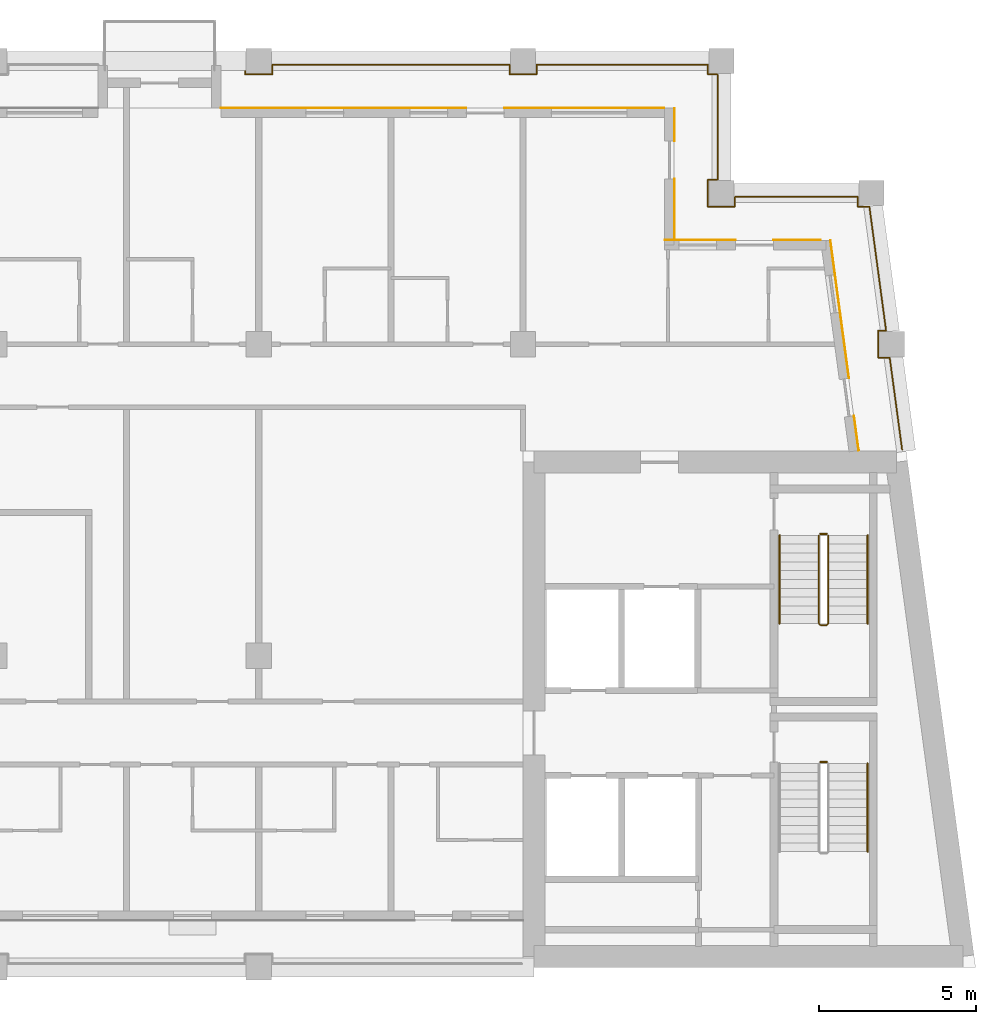
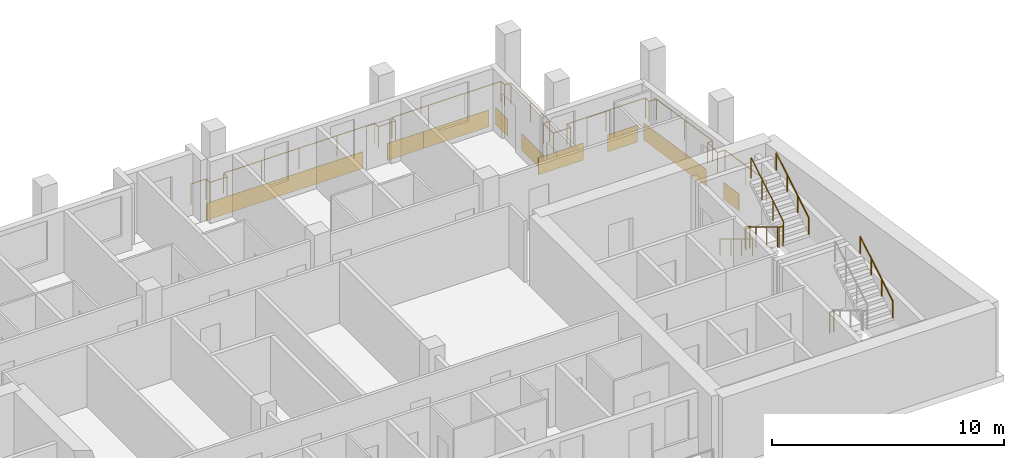
# One storey, part 9 of 10: 9 coverings, 7 railings.
"""IFC4 building model written with IfcOpenShell, lengths in metres."""

from ifc_helpers import new_model, si_unit, direction, frame, origin, origin_2d, place, context, subcontext, project, spatial, rectangle, circle, extrude, material, layer, layer_set, type_object, element, save


model = new_model("IFC4")

# Units and contexts
model_context = context("Model", 3, precision=1e-05, world=origin(), true_north=direction((0.0, 1.0)))
body_context = subcontext(model_context, "Body", "Model", "MODEL_VIEW")
ifc_project = project(units=[si_unit("LENGTHUNIT", "METRE"), si_unit("AREAUNIT", "SQUARE_METRE"), si_unit("VOLUMEUNIT", "CUBIC_METRE"), si_unit("PLANEANGLEUNIT", "RADIAN"), si_unit("MASSUNIT", "GRAM", prefix="KILO")], contexts=[model_context])

# Site, building, storey
site_placement = place(None, origin())
site = spatial("IfcSite", under=ifc_project, at=site_placement, CompositionType="ELEMENT")
building_placement = place(site_placement, origin())
building = spatial("IfcBuilding", under=site, at=building_placement, Name="Candeia Pilgrim Tower and Theatre", CompositionType="ELEMENT")
storey_placement = place(building_placement, frame((0.0, 0.0, 299.699951171875)))
storey = spatial("IfcBuildingStorey", under=building, at=storey_placement, Name="L73", CompositionType="ELEMENT", Elevation=299.699951171875)

# Railing
ifc_material_1 = material(Name="Stainless steel balustrade", Category="steel")
railing_type_1 = type_object("IfcRailingType", Name="G1 loggia guard 1100", PredefinedType="GUARDRAIL", material=ifc_material_1)
railing_1_placement = place(storey_placement, frame((116.39990234375, 144.679931640625, 0.0)))
element("IfcRailing", 1, at=railing_1_placement, inside=storey, type_object=railing_type_1, Name="Guard L73.2", PredefinedType="GUARDRAIL", context=body_context, shape_type="SweptSolid", body=[
    extrude(circle(Radius=0.02392578125, at=origin_2d()), frame((0.0, 0.0, 1.076171875), z_axis=(1.0, 0.0, 0.0), x_axis=(0.0, 1.0, 0.0)), (0.0, 0.0, 1.0), 0.77001953125),
    extrude(circle(Radius=0.02392578125, at=origin_2d()), frame((0.77001953125, 0.0, 1.076171875), z_axis=(0.0, -1.0, 0.0), x_axis=(1.0, 0.0, 0.0)), (0.0, 0.0, 1.0), 0.309814453125),
    extrude(circle(Radius=0.02392578125, at=origin_2d()), frame((0.77001953125, -0.309814453125, 1.076171875), z_axis=(1.0, 0.0, 0.0), x_axis=(0.0, 1.0, 0.0)), (0.0, 0.0, 1.0), 0.860107421875),
    extrude(circle(Radius=0.02392578125, at=origin_2d()), frame((1.630126953125, -0.309814453125, 1.076171875), z_axis=(0.0, 1.0, 0.0), x_axis=(-1.0, 0.0, 0.0)), (0.0, 0.0, 1.0), 0.309814453125),
    extrude(circle(Radius=0.02392578125, at=origin_2d()), frame((1.630126953125, 0.0, 1.076171875), z_axis=(1.0, 0.0, 0.0), x_axis=(0.0, 1.0, 0.0)), (0.0, 0.0, 1.0), 7.5400390625),
    extrude(circle(Radius=0.02392578125, at=origin_2d()), frame((9.170166015625, 0.0, 1.076171875), z_axis=(0.0, -1.0, 0.0), x_axis=(1.0, 0.0, 0.0)), (0.0, 0.0, 1.0), 0.309814453125),
    extrude(circle(Radius=0.02392578125, at=origin_2d()), frame((9.170166015625, -0.309814453125, 1.076171875), z_axis=(1.0, 0.0, 0.0), x_axis=(0.0, 1.0, 0.0)), (0.0, 0.0, 1.0), 0.85986328125),
    extrude(circle(Radius=0.02392578125, at=origin_2d()), frame((10.030029296875, -0.309814453125, 1.076171875), z_axis=(0.0, 1.0, 0.0), x_axis=(-1.0, 0.0, 0.0)), (0.0, 0.0, 1.0), 0.309814453125),
    extrude(circle(Radius=0.02392578125, at=origin_2d()), frame((10.030029296875, 0.0, 1.076171875), z_axis=(1.0, 0.0, 0.0), x_axis=(0.0, 1.0, 0.0)), (0.0, 0.0, 1.0), 5.440185546875),
    extrude(circle(Radius=0.02392578125, at=origin_2d()), frame((15.47021484375, 0.0, 1.076171875), z_axis=(0.0, -1.0, 0.0), x_axis=(1.0, 0.0, 0.0)), (0.0, 0.0, 1.0), 0.309814453125),
    extrude(circle(Radius=0.02392578125, at=origin_2d()), frame((15.47021484375, -0.309814453125, 1.076171875), z_axis=(1.0, 0.0, 0.0), x_axis=(0.0, 1.0, 0.0)), (0.0, 0.0, 1.0), 0.309814453125),
    extrude(circle(Radius=0.02392578125, at=origin_2d()), frame((15.780029296875, -0.309814453125, 1.076171875), z_axis=(0.0, -1.0, 0.0), x_axis=(1.0, 0.0, 0.0)), (0.0, 0.0, 1.0), 3.340087890625),
    extrude(circle(Radius=0.02392578125, at=origin_2d()), frame((15.780029296875, -3.64990234375, 1.076171875), z_axis=(-1.0, 0.0, 0.0), x_axis=(0.0, -1.0, 0.0)), (0.0, 0.0, 1.0), 0.309814453125),
    extrude(circle(Radius=0.02392578125, at=origin_2d()), frame((15.47021484375, -3.64990234375, 1.076171875), z_axis=(0.0, -1.0, 0.0), x_axis=(1.0, 0.0, 0.0)), (0.0, 0.0, 1.0), 0.860107421875),
    extrude(circle(Radius=0.02392578125, at=origin_2d()), frame((15.47021484375, -4.510009765625, 1.076171875), z_axis=(1.0, 0.0, 0.0), x_axis=(0.0, 1.0, 0.0)), (0.0, 0.0, 1.0), 0.85986328125),
    extrude(circle(Radius=0.02392578125, at=origin_2d()), frame((16.330078125, -4.510009765625, 1.076171875), z_axis=(0.0, 1.0, 0.0), x_axis=(-1.0, 0.0, 0.0)), (0.0, 0.0, 1.0), 0.31005859375),
    extrude(circle(Radius=0.02392578125, at=origin_2d()), frame((16.330078125, -4.199951171875, 1.076171875), z_axis=(1.0, 0.0, 0.0), x_axis=(0.0, 1.0, 0.0)), (0.0, 0.0, 1.0), 3.905517578125),
    extrude(circle(Radius=0.02392578125, at=origin_2d()), frame((20.235595703125, -4.199951171875, 1.076171875), z_axis=(0.0, -1.0, 0.0), x_axis=(1.0, 0.0, 0.0)), (0.0, 0.0, 1.0), 0.31005859375),
    extrude(circle(Radius=0.02392578125, at=origin_2d()), frame((20.235595703125, -4.510009765625, 1.076171875), z_axis=(1.0, 0.0, 0.0), x_axis=(0.0, 1.0, 0.0)), (0.0, 0.0, 1.0), 0.36669921875),
    extrude(circle(Radius=0.02392578125, at=origin_2d()), frame((20.602294921875, -4.510009765625, 1.076171875), z_axis=(0.133386492616, -0.991064096609, 0.0), x_axis=(0.991064096609, 0.133386492616, 0.0)), (0.0, 0.0, 1.0), 3.9755859375),
    extrude(circle(Radius=0.02392578125, at=origin_2d()), frame((21.132568359375, -8.449951171875, 1.076171875), z_axis=(-1.0, 0.0, 0.0), x_axis=(0.0, -1.0, 0.0)), (0.0, 0.0, 1.0), 0.2509765625),
    extrude(circle(Radius=0.02392578125, at=origin_2d()), frame((20.881591796875, -8.449951171875, 1.076171875), z_axis=(0.0, -1.0, 0.0), x_axis=(1.0, 0.0, 0.0)), (0.0, 0.0, 1.0), 0.85986328125),
    extrude(circle(Radius=0.02392578125, at=origin_2d()), frame((20.881591796875, -9.309814453125, 1.076171875), z_axis=(1.0, 0.0, 0.0), x_axis=(0.0, 1.0, 0.0)), (0.0, 0.0, 1.0), 0.366943359375),
    extrude(circle(Radius=0.02392578125, at=origin_2d()), frame((21.24853515625, -9.309814453125, 1.076171875), z_axis=(0.133401056725, -0.991062136329, 0.0), x_axis=(0.991062136329, 0.133401056725, 0.0)), (0.0, 0.0, 1.0), 2.946533203125),
    extrude(circle(Radius=0.02099609375, at=origin_2d()), origin(), (0.0, 0.0, 1.0), 1.052001953125),
    extrude(circle(Radius=0.02099609375, at=origin_2d()), frame((0.77001953125, 0.0, 0.0)), (0.0, 0.0, 1.0), 1.052001953125),
    extrude(circle(Radius=0.02099609375, at=origin_2d()), frame((0.77001953125, -0.309814453125, 0.0)), (0.0, 0.0, 1.0), 1.052001953125),
    extrude(circle(Radius=0.02099609375, at=origin_2d()), frame((1.630126953125, -0.309814453125, 0.0)), (0.0, 0.0, 1.0), 1.052001953125),
    extrude(circle(Radius=0.02099609375, at=origin_2d()), frame((1.630126953125, 0.0, 0.0)), (0.0, 0.0, 1.0), 1.052001953125),
    extrude(circle(Radius=0.02099609375, at=origin_2d()), frame((3.51513671875, 0.0, 0.0)), (0.0, 0.0, 1.0), 1.052001953125),
    extrude(circle(Radius=0.02099609375, at=origin_2d()), frame((5.400146484375, 0.0, 0.0)), (0.0, 0.0, 1.0), 1.052001953125),
    extrude(circle(Radius=0.02099609375, at=origin_2d()), frame((7.28515625, 0.0, 0.0)), (0.0, 0.0, 1.0), 1.052001953125),
    extrude(circle(Radius=0.02099609375, at=origin_2d()), frame((9.170166015625, 0.0, 0.0)), (0.0, 0.0, 1.0), 1.052001953125),
    extrude(circle(Radius=0.02099609375, at=origin_2d()), frame((9.170166015625, -0.309814453125, 0.0)), (0.0, 0.0, 1.0), 1.052001953125),
    extrude(circle(Radius=0.02099609375, at=origin_2d()), frame((10.030029296875, -0.309814453125, 0.0)), (0.0, 0.0, 1.0), 1.052001953125),
    extrude(circle(Radius=0.02099609375, at=origin_2d()), frame((10.030029296875, 0.0, 0.0)), (0.0, 0.0, 1.0), 1.052001953125),
    extrude(circle(Radius=0.02099609375, at=origin_2d()), frame((11.843505859375, 0.0, 0.0)), (0.0, 0.0, 1.0), 1.052001953125),
    extrude(circle(Radius=0.02099609375, at=origin_2d()), frame((13.65673828125, 0.0, 0.0)), (0.0, 0.0, 1.0), 1.052001953125),
    extrude(circle(Radius=0.02099609375, at=origin_2d()), frame((15.47021484375, 0.0, 0.0)), (0.0, 0.0, 1.0), 1.052001953125),
    extrude(circle(Radius=0.02099609375, at=origin_2d()), frame((15.47021484375, -0.309814453125, 0.0)), (0.0, 0.0, 1.0), 1.052001953125),
    extrude(circle(Radius=0.02099609375, at=origin_2d()), frame((15.780029296875, -0.309814453125, 0.0)), (0.0, 0.0, 1.0), 1.052001953125),
    extrude(circle(Radius=0.02099609375, at=origin_2d()), frame((15.780029296875, -1.97998046875, 0.0)), (0.0, 0.0, 1.0), 1.052001953125),
    extrude(circle(Radius=0.02099609375, at=origin_2d()), frame((15.780029296875, -3.64990234375, 0.0)), (0.0, 0.0, 1.0), 1.052001953125),
    extrude(circle(Radius=0.02099609375, at=origin_2d()), frame((15.47021484375, -3.64990234375, 0.0)), (0.0, 0.0, 1.0), 1.052001953125),
    extrude(circle(Radius=0.02099609375, at=origin_2d()), frame((15.47021484375, -4.510009765625, 0.0)), (0.0, 0.0, 1.0), 1.052001953125),
    extrude(circle(Radius=0.02099609375, at=origin_2d()), frame((16.330078125, -4.510009765625, 0.0)), (0.0, 0.0, 1.0), 1.052001953125),
    extrude(circle(Radius=0.02099609375, at=origin_2d()), frame((16.330078125, -4.199951171875, 0.0)), (0.0, 0.0, 1.0), 1.052001953125),
    extrude(circle(Radius=0.02099609375, at=origin_2d()), frame((18.28271484375, -4.199951171875, 0.0)), (0.0, 0.0, 1.0), 1.052001953125),
    extrude(circle(Radius=0.02099609375, at=origin_2d()), frame((20.235595703125, -4.199951171875, 0.0)), (0.0, 0.0, 1.0), 1.052001953125),
    extrude(circle(Radius=0.02099609375, at=origin_2d()), frame((20.235595703125, -4.510009765625, 0.0)), (0.0, 0.0, 1.0), 1.052001953125),
    extrude(circle(Radius=0.02099609375, at=origin_2d()), frame((20.602294921875, -4.510009765625, 0.0)), (0.0, 0.0, 1.0), 1.052001953125),
    extrude(circle(Radius=0.02099609375, at=origin_2d()), frame((20.867431640625, -6.47998046875, 0.0)), (0.0, 0.0, 1.0), 1.052001953125),
    extrude(circle(Radius=0.02099609375, at=origin_2d()), frame((21.132568359375, -8.449951171875, 0.0)), (0.0, 0.0, 1.0), 1.052001953125),
    extrude(circle(Radius=0.02099609375, at=origin_2d()), frame((20.881591796875, -8.449951171875, 0.0)), (0.0, 0.0, 1.0), 1.052001953125),
    extrude(circle(Radius=0.02099609375, at=origin_2d()), frame((20.881591796875, -9.309814453125, 0.0)), (0.0, 0.0, 1.0), 1.052001953125),
    extrude(circle(Radius=0.02099609375, at=origin_2d()), frame((21.24853515625, -9.309814453125, 0.0)), (0.0, 0.0, 1.0), 1.052001953125),
    extrude(circle(Radius=0.02099609375, at=origin_2d()), frame((21.445068359375, -10.77001953125, 0.0)), (0.0, 0.0, 1.0), 1.052001953125),
    extrude(circle(Radius=0.02099609375, at=origin_2d()), frame((21.6416015625, -12.22998046875, 0.0)), (0.0, 0.0, 1.0), 1.052001953125),
])

# Coverings
ifc_material_2 = material(Name="Glazed ceramic tile bottle green")
ifc_layer_1 = layer(ifc_material_2, 0.02001953125)
ifc_layer_set_1 = layer_set([ifc_layer_1], Name="Glazed ceramic tile bottle green")
covering_type_1 = type_object("IfcCoveringType", Name="Glazed ceramic tile bottle green", PredefinedType="CLADDING", material=ifc_layer_set_1)
covering_1_placement = place(storey_placement, frame((134.701416015625, 139.110107421875, 0.0), z_axis=(0.0, 0.0, 1.0), x_axis=(-1.0, 0.0, 0.0)))
element("IfcCovering", 2, at=covering_1_placement, inside=storey, type_object=covering_type_1, Name="Tile cladding bottle green L73", PredefinedType="CLADDING", context=body_context, shape_type="SweptSolid", body=[
    extrude(rectangle(XDim=1.502685546875, YDim=0.02001953125, at=origin_2d()), origin(), (0.0, 0.0, 1.0), 0.89990234375),
])
covering_2_placement = place(storey_placement, frame((131.625, 139.110107421875, 0.0), z_axis=(0.0, 0.0, 1.0), x_axis=(-1.0, 0.0, 0.0)))
element("IfcCovering", 3, at=covering_2_placement, inside=storey, type_object=covering_type_1, Name="Tile cladding bottle green L73", PredefinedType="CLADDING", context=body_context, shape_type="SweptSolid", body=[
    extrude(rectangle(XDim=2.25, YDim=0.02001953125, at=origin_2d()), origin(), (0.0, 0.0, 1.0), 0.89990234375),
])
covering_3_placement = place(storey_placement, frame((130.81005859375, 142.77490234375, 0.0), z_axis=(0.0, 0.0, 1.0), x_axis=(0.0, 1.0, 0.0)))
element("IfcCovering", 4, at=covering_3_placement, inside=storey, type_object=covering_type_1, Name="Tile cladding bottle green L73", PredefinedType="CLADDING", context=body_context, shape_type="SweptSolid", body=[
    extrude(rectangle(XDim=1.050048828125, YDim=0.02001953125, at=origin_2d()), origin(), (0.0, 0.0, 1.0), 0.89990234375),
])
covering_4_placement = place(storey_placement, frame((128.840087890625, 143.31005859375, 0.0), z_axis=(0.0, 0.0, 1.0), x_axis=(-1.0, 0.0, 0.0)))
element("IfcCovering", 5, at=covering_4_placement, inside=storey, type_object=covering_type_1, Name="Tile cladding bottle green L73", PredefinedType="CLADDING", context=body_context, shape_type="SweptSolid", body=[
    extrude(rectangle(XDim=3.280029296875, YDim=0.02001953125, at=origin_2d()), origin(), (0.0, 0.0, 1.0), 0.89990234375),
])
ifc_material_3 = material(Name="Glazed ceramic tile rust")
ifc_layer_2 = layer(ifc_material_3, 0.02001953125)
ifc_layer_set_2 = layer_set([ifc_layer_2], Name="Glazed ceramic tile rust")
covering_type_2 = type_object("IfcCoveringType", Name="Glazed ceramic tile rust", PredefinedType="CLADDING", material=ifc_layer_set_2)
covering_5_placement = place(storey_placement, frame((136.588623046875, 132.97412109375, 0.0), z_axis=(0.0, 0.0, 1.0), x_axis=(-0.133412012145, 0.991060661622, 0.0)))
element("IfcCovering", 6, at=covering_5_placement, inside=storey, type_object=covering_type_2, Name="Tile cladding rust L73", PredefinedType="CLADDING", context=body_context, shape_type="SweptSolid", body=[
    extrude(rectangle(XDim=1.115234375, YDim=0.02001953125, at=origin_2d()), origin(), (0.0, 0.0, 1.0), 0.89990234375),
])
covering_6_placement = place(storey_placement, frame((136.058837890625, 136.90869140625, 0.0), z_axis=(0.0, 0.0, 1.0), x_axis=(-0.133412012145, 0.991060661622, 0.0)))
element("IfcCovering", 7, at=covering_6_placement, inside=storey, type_object=covering_type_2, Name="Tile cladding rust L73", PredefinedType="CLADDING", context=body_context, shape_type="SweptSolid", body=[
    extrude(rectangle(XDim=4.4248046875, YDim=0.02001953125, at=origin_2d()), origin(), (0.0, 0.0, 1.0), 0.89990234375),
])
covering_7_placement = place(storey_placement, frame((130.81005859375, 140.0849609375, 0.0), z_axis=(0.0, 0.0, 1.0), x_axis=(0.0, 1.0, 0.0)))
element("IfcCovering", 8, at=covering_7_placement, inside=storey, type_object=covering_type_2, Name="Tile cladding rust L73", PredefinedType="CLADDING", context=body_context, shape_type="SweptSolid", body=[
    extrude(rectangle(XDim=1.929931640625, YDim=0.02001953125, at=origin_2d()), origin(), (0.0, 0.0, 1.0), 0.89990234375),
])
covering_8_placement = place(storey_placement, frame((126.300048828125, 143.31005859375, 0.0), z_axis=(0.0, 0.0, 1.0), x_axis=(-1.0, 0.0, 0.0)))
element("IfcCovering", 9, at=covering_8_placement, inside=storey, type_object=covering_type_2, Name="Tile cladding rust L73", PredefinedType="CLADDING", context=body_context, shape_type="SweptSolid", body=[
    extrude(rectangle(XDim=1.800048828125, YDim=0.02001953125, at=origin_2d()), origin(), (0.0, 0.0, 1.0), 0.89990234375),
])
covering_9_placement = place(storey_placement, frame((120.300048828125, 143.31005859375, 0.0), z_axis=(0.0, 0.0, 1.0), x_axis=(-1.0, 0.0, 0.0)))
element("IfcCovering", 10, at=covering_9_placement, inside=storey, type_object=covering_type_2, Name="Tile cladding rust L73", PredefinedType="CLADDING", context=body_context, shape_type="SweptSolid", body=[
    extrude(rectangle(XDim=7.800048828125, YDim=0.02001953125, at=origin_2d()), origin(), (0.0, 0.0, 1.0), 0.89990234375),
])

# Railings
railing_type_2 = type_object("IfcRailingType", Name="RL-GUARD-1100", PredefinedType="GUARDRAIL", material=ifc_material_1)
railing_2_placement = place(storey_placement, frame((135.447998046875, 122.52490234375, 0.0)))
element("IfcRailing", 11, at=railing_2_placement, inside=storey, type_object=railing_type_2, Name="L73 ST3 stair guard 2", PredefinedType="GUARDRAIL", context=body_context, shape_type="SweptSolid", body=[
    extrude(circle(Radius=0.02392578125, at=origin_2d()), frame((0.0, 0.0, 1.076171875), z_axis=(1.0, 0.0, 0.0), x_axis=(0.0, 1.0, 0.0)), (0.0, 0.0, 1.0), 0.199951171875),
    extrude(circle(Radius=0.02099609375, at=origin_2d()), origin(), (0.0, 0.0, 1.0), 1.052001953125),
    extrude(circle(Radius=0.02099609375, at=origin_2d()), frame((0.199951171875, 0.0, 0.0)), (0.0, 0.0, 1.0), 1.052001953125),
])
railing_3_placement = place(storey_placement, frame((135.39794921875, 129.72509765625, 0.168212890625)))
element("IfcRailing", 12, at=railing_3_placement, inside=storey, type_object=railing_type_2, Name="L73 ST4 stair guard 1", PredefinedType="GUARDRAIL", context=body_context, shape_type="SweptSolid", body=[
    extrude(circle(Radius=0.02392578125, at=origin_2d()), frame((0.0, 0.0, 1.076171875), z_axis=(0.0, -0.857242210791, 0.514913383045), x_axis=(1.0, 0.0, 0.0)), (0.0, 0.0, 1.0), 3.266357421875),
    extrude(circle(Radius=0.02392578125, at=origin_2d()), frame((0.0, -2.800048828125, 2.7578125), z_axis=(0.707106781187, -0.707106781187, 0.0), x_axis=(0.707106781187, 0.707106781187, 0.0)), (0.0, 0.0, 1.0), 0.07080078125),
    extrude(circle(Radius=0.02392578125, at=origin_2d()), frame((0.050048828125, -2.85009765625, 2.7578125), z_axis=(1.0, 0.0, 0.0), x_axis=(0.0, 1.0, 0.0)), (0.0, 0.0, 1.0), 0.199951171875),
    extrude(circle(Radius=0.02392578125, at=origin_2d()), frame((0.25, -2.85009765625, 2.7578125), z_axis=(0.274243871929, 0.274243871929, 0.92172696468), x_axis=(-0.707106781187, 0.707106781187, 0.0)), (0.0, 0.0, 1.0), 0.1826171875),
    extrude(circle(Radius=0.02392578125, at=origin_2d()), frame((0.300048828125, -2.800048828125, 2.92626953125), z_axis=(0.0, 0.857275202839, 0.514858452973), x_axis=(-1.0, 0.0, 0.0)), (0.0, 0.0, 1.0), 3.26611328125),
    extrude(circle(Radius=0.02099609375, at=origin_2d()), origin(), (0.0, 0.0, 1.0), 1.052001953125),
    extrude(circle(Radius=0.02099609375, at=origin_2d()), frame((0.0, -0.933349609375, 0.560546875)), (0.0, 0.0, 1.0), 1.052001953125),
    extrude(circle(Radius=0.02099609375, at=origin_2d()), frame((0.0, -1.86669921875, 1.121337890625)), (0.0, 0.0, 1.0), 1.052001953125),
    extrude(circle(Radius=0.02099609375, at=origin_2d()), frame((0.0, -2.800048828125, 1.681884765625)), (0.0, 0.0, 1.0), 1.052001953125),
    extrude(circle(Radius=0.02099609375, at=origin_2d()), frame((0.050048828125, -2.85009765625, 1.681884765625)), (0.0, 0.0, 1.0), 1.052001953125),
    extrude(circle(Radius=0.02099609375, at=origin_2d()), frame((0.25, -2.85009765625, 1.681884765625)), (0.0, 0.0, 1.0), 1.052001953125),
    extrude(circle(Radius=0.02099609375, at=origin_2d()), frame((0.300048828125, -2.800048828125, 1.85009765625)), (0.0, 0.0, 1.0), 1.052001953125),
    extrude(circle(Radius=0.02099609375, at=origin_2d()), frame((0.300048828125, -1.86669921875, 2.41064453125)), (0.0, 0.0, 1.0), 1.052001953125),
    extrude(circle(Radius=0.02099609375, at=origin_2d()), frame((0.300048828125, -0.933349609375, 2.97119140625)), (0.0, 0.0, 1.0), 1.052001953125),
    extrude(circle(Radius=0.02099609375, at=origin_2d()), frame((0.300048828125, 0.0, 3.53173828125)), (0.0, 0.0, 1.0), 1.052001953125),
])
railing_4_placement = place(storey_placement, frame((135.447998046875, 129.77490234375, 0.0)))
element("IfcRailing", 13, at=railing_4_placement, inside=storey, type_object=railing_type_2, Name="L73 ST4 stair guard 2", PredefinedType="GUARDRAIL", context=body_context, shape_type="SweptSolid", body=[
    extrude(circle(Radius=0.02392578125, at=origin_2d()), frame((0.0, 0.0, 1.076171875), z_axis=(1.0, 0.0, 0.0), x_axis=(0.0, 1.0, 0.0)), (0.0, 0.0, 1.0), 0.199951171875),
    extrude(circle(Radius=0.02099609375, at=origin_2d()), origin(), (0.0, 0.0, 1.0), 1.052001953125),
    extrude(circle(Radius=0.02099609375, at=origin_2d()), frame((0.199951171875, 0.0, 0.0)), (0.0, 0.0, 1.0), 1.052001953125),
])
ifc_material_4 = material(Name="Stainless steel handrail", Category="steel")
railing_type_3 = type_object("IfcRailingType", Name="RL-HANDRAIL-900", PredefinedType="HANDRAIL", material=ifc_material_4)
railing_5_placement = place(storey_placement, frame((136.947998046875, 119.675048828125, 2.018310546875)))
element("IfcRailing", 14, at=railing_5_placement, inside=storey, type_object=railing_type_3, Name="L73 ST3 stair handrail 2", PredefinedType="HANDRAIL", context=body_context, shape_type="SweptSolid", body=[
    extrude(circle(Radius=0.02392578125, at=origin_2d()), frame((0.0, 0.0, 0.8759765625), z_axis=(0.0, 0.857275202839, 0.514858452973), x_axis=(-1.0, 0.0, 0.0)), (0.0, 0.0, 1.0), 3.26611328125),
    extrude(circle(Radius=0.02099609375, at=origin_2d()), origin(), (0.0, 0.0, 1.0), 0.851806640625),
    extrude(circle(Radius=0.02099609375, at=origin_2d()), frame((0.0, 0.933349609375, 0.560546875)), (0.0, 0.0, 1.0), 0.851806640625),
    extrude(circle(Radius=0.02099609375, at=origin_2d()), frame((0.0, 1.86669921875, 1.12109375)), (0.0, 0.0, 1.0), 0.851806640625),
    extrude(circle(Radius=0.02099609375, at=origin_2d()), frame((0.0, 2.800048828125, 1.681640625)), (0.0, 0.0, 1.0), 0.851806640625),
])
railing_6_placement = place(storey_placement, frame((134.14794921875, 129.72509765625, 0.168212890625)))
element("IfcRailing", 15, at=railing_6_placement, inside=storey, type_object=railing_type_3, Name="L73 ST4 stair handrail 1", PredefinedType="HANDRAIL", context=body_context, shape_type="SweptSolid", body=[
    extrude(circle(Radius=0.02392578125, at=origin_2d()), frame((0.0, 0.0, 0.8759765625), z_axis=(0.0, -0.857242210791, 0.514913383045), x_axis=(1.0, 0.0, 0.0)), (0.0, 0.0, 1.0), 3.266357421875),
    extrude(circle(Radius=0.02099609375, at=origin_2d()), origin(), (0.0, 0.0, 1.0), 0.851806640625),
    extrude(circle(Radius=0.02099609375, at=origin_2d()), frame((0.0, -0.933349609375, 0.560546875)), (0.0, 0.0, 1.0), 0.851806640625),
    extrude(circle(Radius=0.02099609375, at=origin_2d()), frame((0.0, -1.86669921875, 1.121337890625)), (0.0, 0.0, 1.0), 0.851806640625),
    extrude(circle(Radius=0.02099609375, at=origin_2d()), frame((0.0, -2.800048828125, 1.681884765625)), (0.0, 0.0, 1.0), 0.851806640625),
])
railing_7_placement = place(storey_placement, frame((136.947998046875, 126.925048828125, 2.018310546875)))
element("IfcRailing", 16, at=railing_7_placement, inside=storey, type_object=railing_type_3, Name="L73 ST4 stair handrail 2", PredefinedType="HANDRAIL", context=body_context, shape_type="SweptSolid", body=[
    extrude(circle(Radius=0.02392578125, at=origin_2d()), frame((0.0, 0.0, 0.8759765625), z_axis=(0.0, 0.857275202839, 0.514858452973), x_axis=(-1.0, 0.0, 0.0)), (0.0, 0.0, 1.0), 3.26611328125),
    extrude(circle(Radius=0.02099609375, at=origin_2d()), origin(), (0.0, 0.0, 1.0), 0.851806640625),
    extrude(circle(Radius=0.02099609375, at=origin_2d()), frame((0.0, 0.933349609375, 0.560546875)), (0.0, 0.0, 1.0), 0.851806640625),
    extrude(circle(Radius=0.02099609375, at=origin_2d()), frame((0.0, 1.86669921875, 1.12109375)), (0.0, 0.0, 1.0), 0.851806640625),
    extrude(circle(Radius=0.02099609375, at=origin_2d()), frame((0.0, 2.800048828125, 1.681640625)), (0.0, 0.0, 1.0), 0.851806640625),
])

save(model, "model.ifc")
